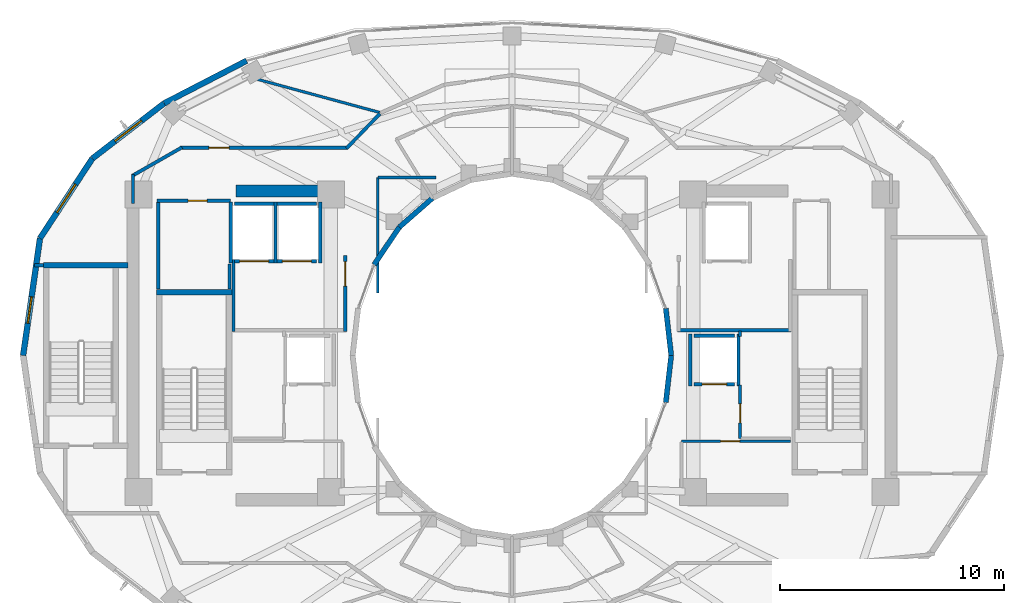
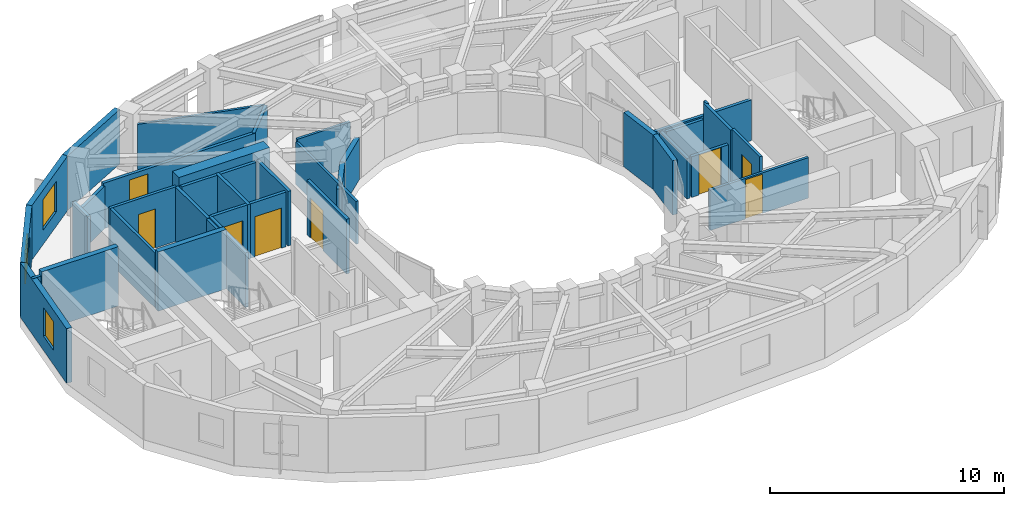
# One storey, part 14 of 19: 39 walls, 8 doors, 3 windows, 11 openings.
"""IFC4 building model written with IfcOpenShell, lengths in metres."""

from ifc_helpers import new_model, si_unit, direction, frame, frame_2d, origin, place, context, subcontext, project, spatial, rectangle, extrude, material, layer, layer_set, type_object, element, fill, save


model = new_model("IFC4")

# Units and contexts
model_context = context("Model", 3, precision=1e-05, world=origin(), true_north=direction((0.0, 1.0)))
body_context = subcontext(model_context, "Body", "Model", "MODEL_VIEW")
ifc_project = project(units=[si_unit("LENGTHUNIT", "METRE"), si_unit("AREAUNIT", "SQUARE_METRE"), si_unit("VOLUMEUNIT", "CUBIC_METRE"), si_unit("PLANEANGLEUNIT", "RADIAN"), si_unit("MASSUNIT", "GRAM", prefix="KILO")], contexts=[model_context])

# Site, building, storey
site_placement = place(None, origin())
site = spatial("IfcSite", under=ifc_project, at=site_placement, CompositionType="ELEMENT")
building_placement = place(site_placement, origin())
building = spatial("IfcBuilding", under=site, at=building_placement, Name="Solvane Sanctuary Tower", CompositionType="ELEMENT")
storey_placement = place(building_placement, frame((0.0, 0.0, 201.60009765625)))
storey = spatial("IfcBuildingStorey", under=building, at=storey_placement, Name="L61", CompositionType="ELEMENT", Elevation=201.60009765625)

# Walls
ifc_material_1 = material(Name="Concrete C50/60", Category="concrete")
ifc_layer_1 = layer(ifc_material_1, 0.550048828125, Name="Concrete C50/60")
ifc_layer_set_1 = layer_set([ifc_layer_1], Name="Concrete C50/60")
wall_type_1 = type_object("IfcWallType", Name="Wall W-CORE-550", PredefinedType="SHEAR", material=ifc_layer_set_1)
wall_1_placement = place(storey_placement, frame((19.64990234375, 30.35009765625, 0.0), z_axis=(0.0, 0.0, 1.0), x_axis=(1.0, 0.0, 0.0)))
element("IfcWall", 1, at=wall_1_placement, inside=storey, type_object=wall_type_1, Name="L61 Core Shear Wall WC-N", PredefinedType="SHEAR", context=body_context, shape_type="SweptSolid", body=[
    extrude(rectangle(XDim=4.5, YDim=0.550048828125, at=frame_2d((2.25, 0.0))), origin(), (0.0, 0.0, 1.0), 3.099853515625),
])
ifc_material_2 = material(Name="Acoustic Gypsum Partition Board")
ifc_layer_2 = layer(ifc_material_2, 0.14990234375, Name="Acoustic Gypsum Partition Board")
ifc_layer_set_2 = layer_set([ifc_layer_2], Name="Acoustic Gypsum Partition Board")
wall_type_2 = type_object("IfcWallType", Name="Wall W-CORR-150", PredefinedType="PARTITIONING", material=ifc_layer_set_2)
wall_2_placement = place(storey_placement, frame((19.550048828125, 24.080078125, 0.0), z_axis=(0.0, 0.0, 1.0), x_axis=(0.0, 1.0, 0.0)))
element("IfcWall", 2, at=wall_2_placement, inside=storey, type_object=wall_type_2, Name="L61 West Firefighting Lobby West Wall", PredefinedType="PARTITIONING", context=body_context, shape_type="SweptSolid", body=[
    extrude(rectangle(XDim=3.199951171875, YDim=0.14990234375, at=frame_2d((1.60009765625, 0.0))), origin(), (0.0, 0.0, 1.0), 2.85498046875),
])

# Wall, opening, door
wall_3_placement = place(storey_placement, frame((24.550048828125, 24.080078125, 0.0), z_axis=(0.0, 0.0, 1.0), x_axis=(0.0, 1.0, 0.0)))
wall_3 = element("IfcWall", 3, at=wall_3_placement, inside=storey, type_object=wall_type_2, Name="L61 West Firefighting Lobby East Wall", PredefinedType="PARTITIONING", context=body_context, shape_type="SweptSolid", body=[
    extrude(rectangle(XDim=3.39990234375, YDim=0.14990234375, at=frame_2d((1.699951171875, 0.0))), origin(), (0.0, 0.0, 1.0), 2.85498046875),
])
opening_1_placement = place(wall_3_placement, frame((2.02001953125, 0.0, 0.0)))
opening_1 = element("IfcOpeningElement", 4, at=opening_1_placement, cuts=wall_3, Name="Opening D-L61-04", PredefinedType="OPENING", context=body_context, shape_type="SweptSolid", body=[
    extrude(rectangle(XDim=1.10009765625, YDim=2.10009765625, at=frame_2d((0.550048828125, 1.050048828125))), frame((0.0, 0.0849609375, 0.0), z_axis=(0.0, -1.0, 0.0), x_axis=(1.0, 0.0, 0.0)), (0.0, 0.0, 1.0), 0.169921875),
])
ifc_material_3 = material(Name="Architectural Stainless Steel 316", Category="steel")
door_type_1 = type_object("IfcDoorType", Name="Door D-FFL", OperationType="NOTDEFINED", PredefinedType="DOOR", material=ifc_material_3)
door_1_placement = place(opening_1_placement, origin())
door_1 = element("IfcDoor", 5, at=door_1_placement, inside=storey, type_object=door_type_1, Name="L61 West Firefighting Lobby Fire Door", OperationType="SINGLE_SWING_RIGHT", OverallHeight=2.10009765625, OverallWidth=1.10009765625, PredefinedType="DOOR", context=body_context, shape_type="SweptSolid", body=[
    extrude(rectangle(XDim=1.10009765625, YDim=2.10009765625, at=frame_2d((0.550048828125, 1.050048828125))), frame((0.0, 0.02490234375, 0.0), z_axis=(0.0, -1.0, 0.0), x_axis=(1.0, 0.0, 0.0)), (0.0, 0.0, 1.0), 0.050048828125),
])
fill(opening_1, door_1)

# Walls
wall_4_placement = place(storey_placement, frame((39.39990234375, 24.1201171875, 0.0), z_axis=(0.0, 0.0, 1.0), x_axis=(1.0, 0.0, 0.0)))
element("IfcWall", 6, at=wall_4_placement, inside=storey, type_object=wall_type_2, Name="L61 East Firefighting Lobby South Wall", PredefinedType="PARTITIONING", context=body_context, shape_type="SweptSolid", body=[
    extrude(rectangle(XDim=5.080078125, YDim=0.14990234375, at=frame_2d((2.5400390625, 0.0))), origin(), (0.0, 0.0, 1.0), 2.119873046875),
])
wall_5_placement = place(storey_placement, frame((10.639892578125, 27.030029296875, 0.0), z_axis=(0.0, 0.0, 1.0), x_axis=(1.0, 0.0, 0.0)))
element("IfcWall", 7, at=wall_5_placement, inside=storey, type_object=wall_type_2, Name="L61 NW Corner Closer 1", PredefinedType="PARTITIONING", context=body_context, shape_type="SweptSolid", body=[
    extrude(rectangle(XDim=0.400146484375, YDim=0.14990234375, at=frame_2d((0.2001953125, 0.0))), origin(), (0.0, 0.0, 1.0), 2.85498046875),
])
wall_6_placement = place(storey_placement, frame((15.050048828125, 29.800048828125, 0.0), z_axis=(0.0, 0.0, 1.0), x_axis=(0.0, 1.0, 0.0)))
element("IfcWall", 8, at=wall_6_placement, inside=storey, type_object=wall_type_2, Name="L61 NW Corner Closer 2", PredefinedType="PARTITIONING", context=body_context, shape_type="SweptSolid", body=[
    extrude(rectangle(XDim=1.2900390625, YDim=0.14990234375, at=frame_2d((0.64501953125, 0.0))), origin(), (0.0, 0.0, 1.0), 2.85498046875),
])
wall_7_placement = place(storey_placement, frame((26.0966796875, 33.811767578125, 0.0), z_axis=(0.0, 0.0, 1.0), x_axis=(-0.694032962553, -0.719943224768, 0.0)))
element("IfcWall", 9, at=wall_7_placement, inside=storey, type_object=wall_type_2, Name="L61 NW Corner Throat Wall", PredefinedType="PARTITIONING", context=body_context, shape_type="SweptSolid", body=[
    extrude(rectangle(XDim=2.15771484375, YDim=0.14990234375, at=frame_2d((1.078857421875, 0.0))), origin(), (0.0, 0.0, 1.0), 2.3759765625),
])

# Wall, opening, door
wall_8_placement = place(storey_placement, frame((17.14990234375, 32.280029296875, 0.0), z_axis=(0.0, 0.0, 1.0), x_axis=(1.0, 0.0, 0.0)))
wall_8 = element("IfcWall", 10, at=wall_8_placement, inside=storey, type_object=wall_type_2, Name="L61 NW Corner Corridor Wall", PredefinedType="PARTITIONING", context=body_context, shape_type="SweptSolid", body=[
    extrude(rectangle(XDim=7.52001953125, YDim=0.14990234375, at=frame_2d((3.760009765625, 0.0))), origin(), (0.0, 0.0, 1.0), 2.3759765625),
])
opening_2_placement = place(wall_8_placement, frame((1.300048828125, 0.0, 0.0)))
opening_2 = element("IfcOpeningElement", 11, at=opening_2_placement, cuts=wall_8, Name="Opening D-L61-18", PredefinedType="OPENING", context=body_context, shape_type="SweptSolid", body=[
    extrude(rectangle(XDim=0.89990234375, YDim=2.10009765625, at=frame_2d((0.449951171875, 1.050048828125))), frame((0.0, 0.0849609375, 0.0), z_axis=(0.0, -1.0, 0.0), x_axis=(1.0, 0.0, 0.0)), (0.0, 0.0, 1.0), 0.169921875),
])
ifc_material_4 = material(Name="Engineered Tropical Hardwood", Category="wood")
door_type_2 = type_object("IfcDoorType", Name="Door D-WET-900", OperationType="NOTDEFINED", PredefinedType="DOOR", material=ifc_material_4)
door_2_placement = place(opening_2_placement, origin())
door_2 = element("IfcDoor", 12, at=door_2_placement, inside=storey, type_object=door_type_2, Name="L61 NW Corner Salon Door", OperationType="SINGLE_SWING_RIGHT", OverallHeight=2.10009765625, OverallWidth=0.89990234375, PredefinedType="DOOR", context=body_context, shape_type="SweptSolid", body=[
    extrude(rectangle(XDim=0.89990234375, YDim=2.10009765625, at=frame_2d((0.449951171875, 1.050048828125))), frame((0.0, 0.02490234375, 0.0), z_axis=(0.0, -1.0, 0.0), x_axis=(1.0, 0.0, 0.0)), (0.0, 0.0, 1.0), 0.050048828125),
])
fill(opening_2, door_2)

# Walls
wall_9_placement = place(storey_placement, frame((17.243408203125, 32.3046875, 0.0), z_axis=(0.0, 0.0, 1.0), x_axis=(-0.867991349648, -0.496579315857, 0.0)))
element("IfcWall", 13, at=wall_9_placement, inside=storey, type_object=wall_type_2, Name="L61 NW Corner Wing Wall", PredefinedType="PARTITIONING", context=body_context, shape_type="SweptSolid", body=[
    extrude(rectangle(XDim=2.56689453125, YDim=0.14990234375, at=frame_2d((1.283447265625, 0.0))), origin(), (0.0, 0.0, 1.0), 2.219970703125),
])
ifc_material_5 = material(Name="Precast concrete C40/50", Category="concrete")
ifc_layer_3 = layer(ifc_material_5, 0.260009765625, Name="Precast concrete C40/50")
ifc_layer_set_3 = layer_set([ifc_layer_3], Name="Precast concrete C40/50")
wall_type_3 = type_object("IfcWallType", Name="Wall W-EXT-250", PredefinedType="STANDARD", material=ifc_layer_set_3)
wall_10_placement = place(storey_placement, frame((20.1298828125, 36.177001953125, 0.0), z_axis=(0.0, 0.0, 1.0), x_axis=(-0.88849146803, -0.458893137057, 0.0)))
element("IfcWall", 14, at=wall_10_placement, inside=storey, type_object=wall_type_3, Name="L61 Ceramic-Printed Facade Wall 08", PredefinedType="STANDARD", context=body_context, shape_type="SweptSolid", body=[
    extrude(rectangle(XDim=4.150390625, YDim=0.260009765625, at=frame_2d((2.0751953125, 0.0))), origin(), (0.0, 0.0, 1.0), 2.849853515625),
])

# Wall, opening, window
wall_11_placement = place(storey_placement, frame((16.4423828125, 34.2724609375, 0.0), z_axis=(0.0, 0.0, 1.0), x_axis=(-0.792713817907, -0.609593965603, 0.0)))
wall_11 = element("IfcWall", 15, at=wall_11_placement, inside=storey, type_object=wall_type_3, Name="L61 Ceramic-Printed Facade Wall 09", PredefinedType="STANDARD", context=body_context, shape_type="SweptSolid", body=[
    extrude(rectangle(XDim=4.041015625, YDim=0.260009765625, at=frame_2d((2.0205078125, 0.0))), origin(), (0.0, 0.0, 1.0), 2.849853515625),
])
opening_3_placement = place(wall_11_placement, frame((1.2705078125, 0.0, 0.75)))
opening_3 = element("IfcOpeningElement", 16, at=opening_3_placement, cuts=wall_11, Name="Opening WN-OPER-1500", PredefinedType="OPENING", context=body_context, shape_type="SweptSolid", body=[
    extrude(rectangle(XDim=1.5, YDim=1.60009765625, at=frame_2d((0.75, 0.800048828125))), frame((0.0, 0.139892578125, 0.0), z_axis=(0.0, -1.0, 0.0), x_axis=(1.0, 0.0, 0.0)), (0.0, 0.0, 1.0), 0.280029296875),
])
ifc_material_6 = material(Name="Dark Ceramic-Fritted Low-E Glass", Category="glass")
window_type_1 = type_object("IfcWindowType", Name="Window WN-OPER-1500", PartitioningType="SINGLE_PANEL", PredefinedType="WINDOW", material=ifc_material_6)
window_1_placement = place(opening_3_placement, origin())
window_1 = element("IfcWindow", 17, at=window_1_placement, inside=storey, type_object=window_type_1, Name="L61 Operable Facade Window 09", OverallHeight=1.60009765625, OverallWidth=1.5, PartitioningType="SINGLE_PANEL", PredefinedType="WINDOW", context=body_context, shape_type="SweptSolid", body=[
    extrude(rectangle(XDim=1.5, YDim=1.60009765625, at=frame_2d((0.75, 0.800048828125))), frame((0.0, 0.030029296875, 0.0), z_axis=(0.0, -1.0, 0.0), x_axis=(1.0, 0.0, 0.0)), (0.0, 0.0, 1.0), 0.06005859375),
])
fill(opening_3, window_1)

wall_12_placement = place(storey_placement, frame((13.239013671875, 31.80908203125, 0.0), z_axis=(0.0, 0.0, 1.0), x_axis=(-0.548776305075, -0.835969238064, 0.0)))
wall_12 = element("IfcWall", 18, at=wall_12_placement, inside=storey, type_object=wall_type_3, Name="L61 Ceramic-Printed Facade Wall 10", PredefinedType="STANDARD", context=body_context, shape_type="SweptSolid", body=[
    extrude(rectangle(XDim=4.270751953125, YDim=0.260009765625, at=frame_2d((2.13525390625, 0.0))), origin(), (0.0, 0.0, 1.0), 2.849853515625),
])
opening_4_placement = place(wall_12_placement, frame((1.385498046875, 0.0, 0.75)))
opening_4 = element("IfcOpeningElement", 19, at=opening_4_placement, cuts=wall_12, Name="Opening WN-OPER-1500", PredefinedType="OPENING", context=body_context, shape_type="SweptSolid", body=[
    extrude(rectangle(XDim=1.5, YDim=1.60009765625, at=frame_2d((0.75, 0.800048828125))), frame((0.0, 0.139892578125, 0.0), z_axis=(0.0, -1.0, 0.0), x_axis=(1.0, 0.0, 0.0)), (0.0, 0.0, 1.0), 0.280029296875),
])
window_2_placement = place(opening_4_placement, origin())
window_2 = element("IfcWindow", 20, at=window_2_placement, inside=storey, type_object=window_type_1, Name="L61 Operable Facade Window 10", OverallHeight=1.60009765625, OverallWidth=1.5, PartitioningType="SINGLE_PANEL", PredefinedType="WINDOW", context=body_context, shape_type="SweptSolid", body=[
    extrude(rectangle(XDim=1.5, YDim=1.60009765625, at=frame_2d((0.75, 0.800048828125))), frame((0.0, 0.030029296875, 0.0), z_axis=(0.0, -1.0, 0.0), x_axis=(1.0, 0.0, 0.0)), (0.0, 0.0, 1.0), 0.06005859375),
])
fill(opening_4, window_2)

wall_13_placement = place(storey_placement, frame((10.895263671875, 28.23876953125, 0.0), z_axis=(0.0, 0.0, 1.0), x_axis=(-0.142712754019, -0.989764148593, 0.0)))
wall_13 = element("IfcWall", 21, at=wall_13_placement, inside=storey, type_object=wall_type_3, Name="L61 Ceramic-Printed Facade Wall 11", PredefinedType="STANDARD", context=body_context, shape_type="SweptSolid", body=[
    extrude(rectangle(XDim=5.29296875, YDim=0.260009765625, at=frame_2d((2.646484375, 0.0))), origin(), (0.0, 0.0, 1.0), 2.849853515625),
])
opening_5_placement = place(wall_13_placement, frame((2.635009765625, 0.0, 0.75)))
opening_5 = element("IfcOpeningElement", 22, at=opening_5_placement, cuts=wall_13, Name="Opening WN-OPER-1200", PredefinedType="OPENING", context=body_context, shape_type="SweptSolid", body=[
    extrude(rectangle(XDim=1.199951171875, YDim=1.5, at=frame_2d((0.60009765625, 0.75))), frame((0.0, 0.139892578125, 0.0), z_axis=(0.0, -1.0, 0.0), x_axis=(1.0, 0.0, 0.0)), (0.0, 0.0, 1.0), 0.280029296875),
])
window_type_2 = type_object("IfcWindowType", Name="Window WN-OPER-1200", PartitioningType="SINGLE_PANEL", PredefinedType="WINDOW", material=ifc_material_6)
window_3_placement = place(opening_5_placement, origin())
window_3 = element("IfcWindow", 23, at=window_3_placement, inside=storey, type_object=window_type_2, Name="L61 Operable Facade Window 11", OverallHeight=1.5, OverallWidth=1.199951171875, PartitioningType="SINGLE_PANEL", PredefinedType="WINDOW", context=body_context, shape_type="SweptSolid", body=[
    extrude(rectangle(XDim=1.199951171875, YDim=1.5, at=frame_2d((0.60009765625, 0.75))), frame((0.0, 0.030029296875, 0.0), z_axis=(0.0, -1.0, 0.0), x_axis=(1.0, 0.0, 0.0)), (0.0, 0.0, 1.0), 0.06005859375),
])
fill(opening_5, window_3)

# Walls
ifc_layer_4 = layer(ifc_material_5, 0.22998046875, Name="Precast concrete C40/50")
ifc_layer_set_4 = layer_set([ifc_layer_4], Name="Precast concrete C40/50")
wall_type_4 = type_object("IfcWallType", Name="Wall W-EXT-SP220", PredefinedType="STANDARD", material=ifc_layer_set_4)
wall_14_placement = place(storey_placement, frame((39.1201171875, 23.0, 0.0), z_axis=(0.0, 0.0, 1.0), x_axis=(-0.114711713601, 0.993398823617, 0.0)))
element("IfcWall", 24, at=wall_14_placement, inside=storey, type_object=wall_type_4, Name="L61 Central Light-Well Wall 00", PredefinedType="STANDARD", context=body_context, shape_type="SweptSolid", body=[
    extrude(rectangle(XDim=2.115478515625, YDim=0.22998046875, at=frame_2d((1.0576171875, 0.0))), origin(), (0.0, 0.0, 1.0), 2.83984375),
])
wall_15_placement = place(storey_placement, frame((28.43994140625, 30.031982421875, 0.0), z_axis=(0.0, 0.0, 1.0), x_axis=(-0.752576694707, -0.658504607869, 0.0)))
element("IfcWall", 25, at=wall_15_placement, inside=storey, type_object=wall_type_4, Name="L61 Central Light-Well Wall 08", PredefinedType="STANDARD", context=body_context, shape_type="SweptSolid", body=[
    extrude(rectangle(XDim=1.95947265625, YDim=0.22998046875, at=frame_2d((0.979736328125, 0.0))), origin(), (0.0, 0.0, 1.0), 2.159912109375),
])
wall_16_placement = place(storey_placement, frame((26.96533203125, 28.74169921875, 0.0), z_axis=(0.0, 0.0, 1.0), x_axis=(-0.558197800898, -0.829707909492, 0.0)))
element("IfcWall", 26, at=wall_16_placement, inside=storey, type_object=wall_type_4, Name="L61 Central Light-Well Wall 09", PredefinedType="STANDARD", context=body_context, shape_type="SweptSolid", body=[
    extrude(rectangle(XDim=2.02685546875, YDim=0.22998046875, at=frame_2d((1.013427734375, 0.0))), origin(), (0.0, 0.0, 1.0), 2.159912109375),
])
wall_17_placement = place(storey_placement, frame((38.87744140625, 20.8984375, 0.0), z_axis=(0.0, 0.0, 1.0), x_axis=(0.114711713601, 0.993398823617, 0.0)))
element("IfcWall", 27, at=wall_17_placement, inside=storey, type_object=wall_type_4, Name="L61 Central Light-Well Wall 23", PredefinedType="STANDARD", context=body_context, shape_type="SweptSolid", body=[
    extrude(rectangle(XDim=2.115478515625, YDim=0.22998046875, at=frame_2d((1.0576171875, 0.0))), origin(), (0.0, 0.0, 1.0), 2.83984375),
])
ifc_layer_5 = layer(ifc_material_2, 0.1201171875, Name="Acoustic Gypsum Partition Board")
ifc_layer_set_5 = layer_set([ifc_layer_5], Name="Acoustic Gypsum Partition Board")
wall_type_5 = type_object("IfcWallType", Name="Wall W-MOV-100", PredefinedType="MOVABLE", material=ifc_layer_set_5)
wall_18_placement = place(storey_placement, frame((26.081787109375, 33.86572265625, 0.0), z_axis=(0.0, 0.0, 1.0), x_axis=(-0.965109390289, 0.261847025523, 0.0)))
element("IfcWall", 28, at=wall_18_placement, inside=storey, type_object=wall_type_5, Name="L61 Sky Hall Radial Partition 120", PredefinedType="MOVABLE", context=body_context, shape_type="SweptSolid", body=[
    extrude(rectangle(XDim=5.643798828125, YDim=0.1201171875, at=frame_2d((2.82177734375, 0.0))), origin(), (0.0, 0.0, 1.0), 2.3759765625),
])

# Wall, opening, door
ifc_layer_6 = layer(ifc_material_2, 0.125, Name="Acoustic Gypsum Partition Board")
ifc_layer_set_6 = layer_set([ifc_layer_6], Name="Acoustic Gypsum Partition Board")
wall_type_6 = type_object("IfcWallType", Name="Wall W-PART-125", PredefinedType="PARTITIONING", material=ifc_layer_set_6)
wall_19_placement = place(storey_placement, frame((39.580078125, 19.159912109375, 0.0), z_axis=(0.0, 0.0, 1.0), x_axis=(1.0, 0.0, 0.0)))
wall_19 = element("IfcWall", 29, at=wall_19_placement, inside=storey, type_object=wall_type_6, Name="L61 Reclaimed Room Partition PLE", PredefinedType="PARTITIONING", context=body_context, shape_type="SweptSolid", body=[
    extrude(rectangle(XDim=4.869873046875, YDim=0.125, at=frame_2d((2.43505859375, 0.0))), origin(), (0.0, 0.0, 1.0), 2.119873046875),
])
opening_6_placement = place(wall_19_placement, frame((1.748291015625, 0.0, 0.0)))
opening_6 = element("IfcOpeningElement", 30, at=opening_6_placement, cuts=wall_19, Name="Opening D-L61-07", PredefinedType="OPENING", context=body_context, shape_type="SweptSolid", body=[
    extrude(rectangle(XDim=0.85009765625, YDim=2.050048828125, at=frame_2d((0.425048828125, 1.02490234375))), frame((0.0, 0.072509765625, 0.0), z_axis=(0.0, -1.0, 0.0), x_axis=(1.0, 0.0, 0.0)), (0.0, 0.0, 1.0), 0.14501953125),
])
door_type_3 = type_object("IfcDoorType", Name="Door D-RISER", OperationType="NOTDEFINED", PredefinedType="DOOR", material=ifc_material_3)
door_3_placement = place(opening_6_placement, origin())
door_3 = element("IfcDoor", 31, at=door_3_placement, inside=storey, type_object=door_type_3, Name="L61 Reclaimed Room Door PLE-1", OperationType="SINGLE_SWING_LEFT", OverallHeight=2.050048828125, OverallWidth=0.85009765625, PredefinedType="DOOR", context=body_context, shape_type="SweptSolid", body=[
    extrude(rectangle(XDim=0.85009765625, YDim=2.050048828125, at=frame_2d((0.425048828125, 1.02490234375))), frame((0.0, 0.02490234375, 0.0), z_axis=(0.0, -1.0, 0.0), x_axis=(1.0, 0.0, 0.0)), (0.0, 0.0, 1.0), 0.050048828125),
])
fill(opening_6, door_3)

wall_20_placement = place(storey_placement, frame((42.199951171875, 19.280029296875, 0.0), z_axis=(0.0, 0.0, 1.0), x_axis=(0.0, 1.0, 0.0)))
wall_20 = element("IfcWall", 32, at=wall_20_placement, inside=storey, type_object=wall_type_6, Name="L61 Reclaimed Room Partition PME", PredefinedType="PARTITIONING", context=body_context, shape_type="SweptSolid", body=[
    extrude(rectangle(XDim=2.39990234375, YDim=0.125, at=frame_2d((1.199951171875, 0.0))), origin(), (0.0, 0.0, 1.0), 2.85498046875),
])
opening_7_placement = place(wall_20_placement, frame((0.699951171875, 0.0, 0.0)))
opening_7 = element("IfcOpeningElement", 33, at=opening_7_placement, cuts=wall_20, Name="Opening D-L61-09", PredefinedType="OPENING", context=body_context, shape_type="SweptSolid", body=[
    extrude(rectangle(XDim=0.85009765625, YDim=2.050048828125, at=frame_2d((0.425048828125, 1.02490234375))), frame((0.0, 0.072509765625, 0.0), z_axis=(0.0, -1.0, 0.0), x_axis=(1.0, 0.0, 0.0)), (0.0, 0.0, 1.0), 0.14501953125),
])
door_4_placement = place(opening_7_placement, origin())
door_4 = element("IfcDoor", 34, at=door_4_placement, inside=storey, type_object=door_type_3, Name="L61 Reclaimed Room Door PME-1", OperationType="SINGLE_SWING_LEFT", OverallHeight=2.050048828125, OverallWidth=0.85009765625, PredefinedType="DOOR", context=body_context, shape_type="SweptSolid", body=[
    extrude(rectangle(XDim=0.85009765625, YDim=2.050048828125, at=frame_2d((0.425048828125, 1.02490234375))), frame((0.0, 0.02490234375, 0.0), z_axis=(0.0, -1.0, 0.0), x_axis=(1.0, 0.0, 0.0)), (0.0, 0.0, 1.0), 0.050048828125),
])
fill(opening_7, door_4)

# Walls
wall_21_placement = place(storey_placement, frame((42.199951171875, 23.85009765625, 0.0), z_axis=(0.0, 0.0, 1.0), x_axis=(0.0, 1.0, 0.0)))
element("IfcWall", 35, at=wall_21_placement, inside=storey, type_object=wall_type_6, Name="L61 Reclaimed Room Dividing Wall PME", PredefinedType="PARTITIONING", context=body_context, shape_type="SweptSolid", body=[
    extrude(rectangle(XDim=0.25, YDim=0.125, at=frame_2d((0.125, 0.0))), origin(), (0.0, 0.0, 1.0), 2.85498046875),
])
wall_22_placement = place(storey_placement, frame((26.0, 25.800048828125, 0.0), z_axis=(0.0, 0.0, 1.0), x_axis=(0.0, 1.0, 0.0)))
element("IfcWall", 36, at=wall_22_placement, inside=storey, type_object=wall_type_6, Name="L61 Bridge Alcove Wall 1", PredefinedType="PARTITIONING", context=body_context, shape_type="SweptSolid", body=[
    extrude(rectangle(XDim=5.159912109375, YDim=0.125, at=frame_2d((2.580078125, 0.0))), origin(), (0.0, 0.0, 1.0), 2.23193359375),
])
wall_23_placement = place(storey_placement, frame((26.0, 30.9599609375, 0.0), z_axis=(0.0, 0.0, 1.0), x_axis=(1.0, 0.0, 0.0)))
element("IfcWall", 37, at=wall_23_placement, inside=storey, type_object=wall_type_6, Name="L61 Bridge Alcove Wall 2", PredefinedType="PARTITIONING", context=body_context, shape_type="SweptSolid", body=[
    extrude(rectangle(XDim=2.60009765625, YDim=0.125, at=frame_2d((1.300048828125, 0.0))), origin(), (0.0, 0.0, 1.0), 2.3759765625),
])

# Wall, opening, door
ifc_layer_7 = layer(ifc_material_1, 0.14990234375, Name="Concrete C50/60")
ifc_layer_set_7 = layer_set([ifc_layer_7], Name="Concrete C50/60")
wall_type_7 = type_object("IfcWallType", Name="Wall W-SHAFT-150", PredefinedType="SOLIDWALL", material=ifc_layer_set_7)
wall_24_placement = place(storey_placement, frame((40.139892578125, 21.719970703125, 0.0), z_axis=(0.0, 0.0, 1.0), x_axis=(1.0, 0.0, 0.0)))
wall_24 = element("IfcWall", 38, at=wall_24_placement, inside=storey, type_object=wall_type_7, Name="L61 PH-2 Lift Shaft Wall F", PredefinedType="SOLIDWALL", context=body_context, shape_type="SweptSolid", body=[
    extrude(rectangle(XDim=1.820068359375, YDim=0.14990234375, at=frame_2d((0.91015625, 0.0))), origin(), (0.0, 0.0, 1.0), 2.119873046875),
])
opening_8_placement = place(wall_24_placement, frame((0.360107421875, 0.0, 0.0)))
opening_8 = element("IfcOpeningElement", 39, at=opening_8_placement, cuts=wall_24, Name="Opening LD-L61-02", PredefinedType="OPENING", context=body_context, shape_type="SweptSolid", body=[
    extrude(rectangle(XDim=1.10009765625, YDim=2.10009765625, at=frame_2d((0.550048828125, 1.050048828125))), frame((0.0, 0.0849609375, 0.0), z_axis=(0.0, -1.0, 0.0), x_axis=(1.0, 0.0, 0.0)), (0.0, 0.0, 1.0), 0.169921875),
])
door_type_4 = type_object("IfcDoorType", Name="Door LD-PASS-1100", OperationType="NOTDEFINED", PredefinedType="DOOR", material=ifc_material_3)
door_5_placement = place(opening_8_placement, origin())
door_5 = element("IfcDoor", 40, at=door_5_placement, inside=storey, type_object=door_type_4, Name="L61 PH-2 Lift Landing Door", OperationType="DOUBLE_DOOR_SLIDING", OverallHeight=2.10009765625, OverallWidth=1.10009765625, PredefinedType="DOOR", context=body_context, shape_type="SweptSolid", body=[
    extrude(rectangle(XDim=1.10009765625, YDim=2.10009765625, at=frame_2d((0.550048828125, 1.050048828125))), frame((0.0, 0.02490234375, 0.0), z_axis=(0.0, -1.0, 0.0), x_axis=(1.0, 0.0, 0.0)), (0.0, 0.0, 1.0), 0.050048828125),
])
fill(opening_8, door_5)

# Walls
wall_25_placement = place(storey_placement, frame((40.139892578125, 23.8798828125, 0.0), z_axis=(0.0, 0.0, 1.0), x_axis=(1.0, 0.0, 0.0)))
element("IfcWall", 41, at=wall_25_placement, inside=storey, type_object=wall_type_7, Name="L61 PH-2 Lift Shaft Wall B", PredefinedType="SOLIDWALL", context=body_context, shape_type="SweptSolid", body=[
    extrude(rectangle(XDim=1.820068359375, YDim=0.14990234375, at=frame_2d((0.91015625, 0.0))), origin(), (0.0, 0.0, 1.0), 2.119873046875),
])
wall_26_placement = place(storey_placement, frame((39.969970703125, 21.639892578125, 0.0), z_axis=(0.0, 0.0, 1.0), x_axis=(0.0, 1.0, 0.0)))
element("IfcWall", 42, at=wall_26_placement, inside=storey, type_object=wall_type_7, Name="L61 PH-2 Lift Shaft Wall S1", PredefinedType="SOLIDWALL", context=body_context, shape_type="SweptSolid", body=[
    extrude(rectangle(XDim=2.320068359375, YDim=0.14990234375, at=frame_2d((1.16015625, 0.0))), origin(), (0.0, 0.0, 1.0), 2.119873046875),
])
wall_27_placement = place(storey_placement, frame((42.1298828125, 21.639892578125, 0.0), z_axis=(0.0, 0.0, 1.0), x_axis=(0.0, 1.0, 0.0)))
element("IfcWall", 43, at=wall_27_placement, inside=storey, type_object=wall_type_7, Name="L61 PH-2 Lift Shaft Wall S2", PredefinedType="SOLIDWALL", context=body_context, shape_type="SweptSolid", body=[
    extrude(rectangle(XDim=2.320068359375, YDim=0.14990234375, at=frame_2d((1.16015625, 0.0))), origin(), (0.0, 0.0, 1.0), 2.85498046875),
])

# Wall, opening, door
wall_28_placement = place(storey_placement, frame((19.590087890625, 27.219970703125, 0.0), z_axis=(0.0, 0.0, 1.0), x_axis=(1.0, 0.0, 0.0)))
wall_28 = element("IfcWall", 44, at=wall_28_placement, inside=storey, type_object=wall_type_7, Name="L61 FFL-1 Lift Shaft Wall F", PredefinedType="SOLIDWALL", context=body_context, shape_type="SweptSolid", body=[
    extrude(rectangle(XDim=1.760009765625, YDim=0.14990234375, at=frame_2d((0.8798828125, 0.0))), origin(), (0.0, 0.0, 1.0), 2.85498046875),
])
opening_9_placement = place(wall_28_placement, frame((0.22998046875, 0.0, 0.0)))
opening_9 = element("IfcOpeningElement", 45, at=opening_9_placement, cuts=wall_28, Name="Opening LD-L61-03", PredefinedType="OPENING", context=body_context, shape_type="SweptSolid", body=[
    extrude(rectangle(XDim=1.300048828125, YDim=2.10009765625, at=frame_2d((0.64990234375, 1.050048828125))), frame((0.0, 0.0849609375, 0.0), z_axis=(0.0, -1.0, 0.0), x_axis=(1.0, 0.0, 0.0)), (0.0, 0.0, 1.0), 0.169921875),
])
door_type_5 = type_object("IfcDoorType", Name="Door LD-FFL-1300", OperationType="NOTDEFINED", PredefinedType="DOOR", material=ifc_material_3)
door_6_placement = place(opening_9_placement, origin())
door_6 = element("IfcDoor", 46, at=door_6_placement, inside=storey, type_object=door_type_5, Name="L61 FFL-1 Lift Landing Door", OperationType="DOUBLE_DOOR_SLIDING", OverallHeight=2.10009765625, OverallWidth=1.300048828125, PredefinedType="DOOR", context=body_context, shape_type="SweptSolid", body=[
    extrude(rectangle(XDim=1.300048828125, YDim=2.10009765625, at=frame_2d((0.64990234375, 1.050048828125))), frame((0.0, 0.02490234375, 0.0), z_axis=(0.0, -1.0, 0.0), x_axis=(1.0, 0.0, 0.0)), (0.0, 0.0, 1.0), 0.050048828125),
])
fill(opening_9, door_6)

# Walls
wall_29_placement = place(storey_placement, frame((19.590087890625, 29.780029296875, 0.0), z_axis=(0.0, 0.0, 1.0), x_axis=(1.0, 0.0, 0.0)))
element("IfcWall", 47, at=wall_29_placement, inside=storey, type_object=wall_type_7, Name="L61 FFL-1 Lift Shaft Wall B", PredefinedType="SOLIDWALL", context=body_context, shape_type="SweptSolid", body=[
    extrude(rectangle(XDim=1.760009765625, YDim=0.14990234375, at=frame_2d((0.8798828125, 0.0))), origin(), (0.0, 0.0, 1.0), 2.85498046875),
])
for number, where, z_axis, x_axis, name in (
    (48, (19.419921875, 27.139892578125, 0.0), (0.0, 0.0, 1.0), (0.0, 1.0, 0.0), "L61 FFL-1 Lift Shaft Wall S1"),
    (49, (21.425048828125, 27.139892578125, 0.0), (0.0, 0.0, 1.0), (0.0, 1.0, 0.0), "L61 FFL-1 Lift Shaft Wall S2"),
):
    element("IfcWall", number, at=place(storey_placement, frame(where, z_axis=z_axis, x_axis=x_axis)), inside=storey, type_object=wall_type_7, Name=name, PredefinedType="SOLIDWALL", context=body_context, shape_type="SweptSolid", body=[
        extrude(rectangle(XDim=2.72021484375, YDim=0.14990234375, at=frame_2d((1.360107421875, 0.0))), origin(), (0.0, 0.0, 1.0), 2.85498046875),
    ])

# Wall, opening, door
wall_30_placement = place(storey_placement, frame((21.5, 27.219970703125, 0.0), z_axis=(0.0, 0.0, 1.0), x_axis=(1.0, 0.0, 0.0)))
wall_30 = element("IfcWall", 50, at=wall_30_placement, inside=storey, type_object=wall_type_7, Name="L61 SVL-1 Lift Shaft Wall F", PredefinedType="SOLIDWALL", context=body_context, shape_type="SweptSolid", body=[
    extrude(rectangle(XDim=1.760009765625, YDim=0.14990234375, at=frame_2d((0.8798828125, 0.0))), origin(), (0.0, 0.0, 1.0), 2.85498046875),
])
opening_10_placement = place(wall_30_placement, frame((0.22998046875, 0.0, 0.0)))
opening_10 = element("IfcOpeningElement", 51, at=opening_10_placement, cuts=wall_30, Name="Opening LD-L61-04", PredefinedType="OPENING", context=body_context, shape_type="SweptSolid", body=[
    extrude(rectangle(XDim=1.300048828125, YDim=2.10009765625, at=frame_2d((0.64990234375, 1.050048828125))), frame((0.0, 0.0849609375, 0.0), z_axis=(0.0, -1.0, 0.0), x_axis=(1.0, 0.0, 0.0)), (0.0, 0.0, 1.0), 0.169921875),
])
door_7_placement = place(opening_10_placement, origin())
door_7 = element("IfcDoor", 52, at=door_7_placement, inside=storey, type_object=door_type_5, Name="L61 SVL-1 Lift Landing Door", OperationType="DOUBLE_DOOR_SLIDING", OverallHeight=2.10009765625, OverallWidth=1.300048828125, PredefinedType="DOOR", context=body_context, shape_type="SweptSolid", body=[
    extrude(rectangle(XDim=1.300048828125, YDim=2.10009765625, at=frame_2d((0.64990234375, 1.050048828125))), frame((0.0, 0.02490234375, 0.0), z_axis=(0.0, -1.0, 0.0), x_axis=(1.0, 0.0, 0.0)), (0.0, 0.0, 1.0), 0.050048828125),
])
fill(opening_10, door_7)

# Walls
wall_31_placement = place(storey_placement, frame((21.5, 29.780029296875, 0.0), z_axis=(0.0, 0.0, 1.0), x_axis=(1.0, 0.0, 0.0)))
element("IfcWall", 53, at=wall_31_placement, inside=storey, type_object=wall_type_7, Name="L61 SVL-1 Lift Shaft Wall B", PredefinedType="SOLIDWALL", context=body_context, shape_type="SweptSolid", body=[
    extrude(rectangle(XDim=1.760009765625, YDim=0.14990234375, at=frame_2d((0.8798828125, 0.0))), origin(), (0.0, 0.0, 1.0), 2.85498046875),
])
wall_32_placement = place(storey_placement, frame((23.429931640625, 27.139892578125, 0.0), z_axis=(0.0, 0.0, 1.0), x_axis=(0.0, 1.0, 0.0)))
element("IfcWall", 54, at=wall_32_placement, inside=storey, type_object=wall_type_7, Name="L61 SVL-1 Lift Shaft Wall S2", PredefinedType="SOLIDWALL", context=body_context, shape_type="SweptSolid", body=[
    extrude(rectangle(XDim=2.72021484375, YDim=0.14990234375, at=frame_2d((1.360107421875, 0.0))), origin(), (0.0, 0.0, 1.0), 2.85498046875),
])
ifc_layer_8 = layer(ifc_material_1, 0.25, Name="Concrete C50/60")
ifc_layer_set_8 = layer_set([ifc_layer_8], Name="Concrete C50/60")
wall_type_8 = type_object("IfcWallType", Name="Wall W-SHAFT-250", PredefinedType="SOLIDWALL", material=ifc_layer_set_8)
wall_33_placement = place(storey_placement, frame((16.10498046875, 25.830078125, 0.0), z_axis=(0.0, 0.0, 1.0), x_axis=(1.0, 0.0, 0.0)))
element("IfcWall", 55, at=wall_33_placement, inside=storey, type_object=wall_type_8, Name="L61 ST-1 Load-Bearing Shaft Wall N", PredefinedType="SOLIDWALL", context=body_context, shape_type="SweptSolid", body=[
    extrude(rectangle(XDim=3.3701171875, YDim=0.25, at=frame_2d((1.68505859375, 0.0))), origin(), (0.0, 0.0, 1.0), 3.099853515625),
])
wall_34_placement = place(storey_placement, frame((11.044921875, 27.030029296875, 0.0), z_axis=(0.0, 0.0, 1.0), x_axis=(1.0, 0.0, 0.0)))
element("IfcWall", 56, at=wall_34_placement, inside=storey, type_object=wall_type_8, Name="L61 ST-3 Load-Bearing Shaft Wall N", PredefinedType="SOLIDWALL", context=body_context, shape_type="SweptSolid", body=[
    extrude(rectangle(XDim=3.781982421875, YDim=0.25, at=frame_2d((1.89111328125, 0.0))), origin(), (0.0, 0.0, 1.0), 3.099853515625),
])

# Wall, opening, door
ifc_layer_9 = layer(ifc_material_2, 0.139892578125, Name="Acoustic Gypsum Partition Board")
ifc_layer_set_9 = layer_set([ifc_layer_9], Name="Acoustic Gypsum Partition Board")
wall_type_9 = type_object("IfcWallType", Name="Wall W-WET-140", PredefinedType="PLUMBINGWALL", material=ifc_layer_set_9)
wall_35_placement = place(storey_placement, frame((16.1201171875, 29.919921875, 0.0), z_axis=(0.0, 0.0, 1.0), x_axis=(1.0, 0.0, 0.0)))
wall_35 = element("IfcWall", 57, at=wall_35_placement, inside=storey, type_object=wall_type_9, Name="L61 Core Service Front Wall KW0", PredefinedType="PLUMBINGWALL", context=body_context, shape_type="SweptSolid", body=[
    extrude(rectangle(XDim=3.2998046875, YDim=0.139892578125, at=frame_2d((1.64990234375, 0.0))), origin(), (0.0, 0.0, 1.0), 2.85498046875),
])
opening_11_placement = place(wall_35_placement, frame((1.3994140625, 0.0, 0.0)))
opening_11 = element("IfcOpeningElement", 58, at=opening_11_placement, cuts=wall_35, Name="Opening D-L61-10", PredefinedType="OPENING", context=body_context, shape_type="SweptSolid", body=[
    extrude(rectangle(XDim=0.85009765625, YDim=2.050048828125, at=frame_2d((0.425048828125, 1.02490234375))), frame((0.0, 0.079833984375, 0.0), z_axis=(0.0, -1.0, 0.0), x_axis=(1.0, 0.0, 0.0)), (0.0, 0.0, 1.0), 0.159912109375),
])
door_8_placement = place(opening_11_placement, origin())
door_8 = element("IfcDoor", 59, at=door_8_placement, inside=storey, type_object=door_type_3, Name="L61 Core Service Room Door KW0-1", OperationType="SINGLE_SWING_RIGHT", OverallHeight=2.050048828125, OverallWidth=0.85009765625, PredefinedType="DOOR", context=body_context, shape_type="SweptSolid", body=[
    extrude(rectangle(XDim=0.85009765625, YDim=2.050048828125, at=frame_2d((0.425048828125, 1.02490234375))), frame((0.0, 0.02490234375, 0.0), z_axis=(0.0, -1.0, 0.0), x_axis=(1.0, 0.0, 0.0)), (0.0, 0.0, 1.0), 0.050048828125),
])
fill(opening_11, door_8)

# Walls
wall_36_placement = place(storey_placement, frame((16.179931640625, 25.97998046875, 0.0), z_axis=(0.0, 0.0, 1.0), x_axis=(0.0, 1.0, 0.0)))
element("IfcWall", 60, at=wall_36_placement, inside=storey, type_object=wall_type_9, Name="L61 Core Service Side Wall KW0-1", PredefinedType="PLUMBINGWALL", context=body_context, shape_type="SweptSolid", body=[
    extrude(rectangle(XDim=3.880126953125, YDim=0.139892578125, at=frame_2d((1.93994140625, 0.0))), origin(), (0.0, 0.0, 1.0), 2.85498046875),
])
wall_37_placement = place(storey_placement, frame((19.360107421875, 25.97998046875, 0.0), z_axis=(0.0, 0.0, 1.0), x_axis=(0.0, 1.0, 0.0)))
element("IfcWall", 61, at=wall_37_placement, inside=storey, type_object=wall_type_9, Name="L61 Core Service Side Wall KW0-2", PredefinedType="PLUMBINGWALL", context=body_context, shape_type="SweptSolid", body=[
    extrude(rectangle(XDim=1.1201171875, YDim=0.139892578125, at=frame_2d((0.56005859375, 0.0))), origin(), (0.0, 0.0, 1.0), 2.85498046875),
])

save(model, "model.ifc")
